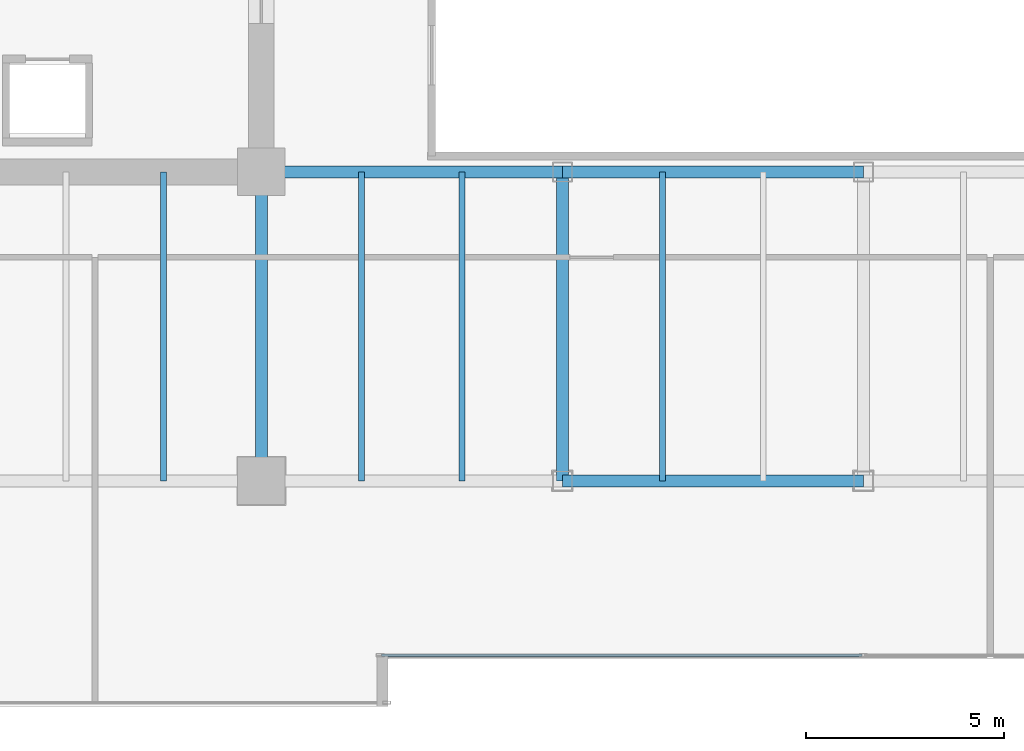
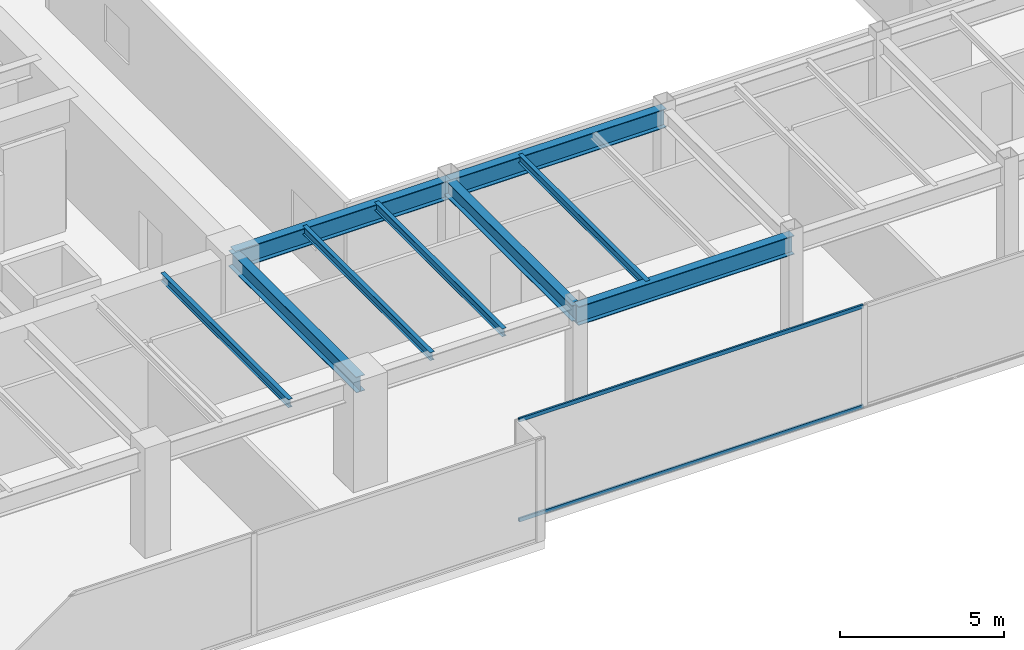
# One storey, part 5 of 33: 9 beams, 2 members, 1 element without a shape of its own.
"""IFC4 building model written with IfcOpenShell, lengths in metres."""

from ifc_helpers import new_model, si_unit, direction, frame, origin, origin_2d, place, context, subcontext, project, spatial, hollow_rectangle, i_section, extrude, source, transform, mapped, material, layer, layer_set, material_profile, profile_set, type_object, type_shapes, element, aggregate, save


model = new_model("IFC4")

# Units and contexts
model_context = context("Model", 3, precision=1e-05, world=origin(), true_north=direction((0.0, 1.0)))
body_context = subcontext(model_context, "Body", "Model", "MODEL_VIEW")
ifc_project = project(units=[si_unit("LENGTHUNIT", "METRE"), si_unit("AREAUNIT", "SQUARE_METRE"), si_unit("VOLUMEUNIT", "CUBIC_METRE"), si_unit("PLANEANGLEUNIT", "RADIAN"), si_unit("MASSUNIT", "GRAM", prefix="KILO")], contexts=[model_context])

# Site, building, storey
site_placement = place(None, origin())
site = spatial("IfcSite", under=ifc_project, at=site_placement, CompositionType="ELEMENT")
building_placement = place(site_placement, origin())
building = spatial("IfcBuilding", under=site, at=building_placement, Name="Haelvirn Gate Laboratories", CompositionType="ELEMENT")
storey_placement = place(building_placement, frame((0.0, 0.0, 166.60009765625)))
storey = spatial("IfcBuildingStorey", under=building, at=storey_placement, Name="L40", CompositionType="ELEMENT", Elevation=166.60009765625)

# Beams
ifc_material_1 = material(Name="Steel SM355", Category="steel")
ifc_material_profile_1 = material_profile(ifc_material_1, i_section(OverallWidth=0.300048828125, OverallDepth=0.699951171875, WebThickness=0.012939453125, FlangeThickness=0.02392578125, at=origin_2d()), Name="H-700x300x13x24")
ifc_profile_set_1 = profile_set([ifc_material_profile_1], Name="Steel SM355")
beam_type_1 = type_object("IfcBeamType", Name="BM-G-700", PredefinedType="BEAM", material=ifc_profile_set_1)
shared_shape_1 = source(origin(), body_context, "Body", "SweptSolid", [
    extrude(i_section(OverallWidth=0.300048828125, OverallDepth=0.699951171875, WebThickness=0.012939453125, FlangeThickness=0.02392578125, at=origin_2d()), origin(), (0.0, 0.0, 1.0), 7.60009765625),
])
beam_placement = place(storey_placement, frame((22.199951171875, 14.800048828125, 3.43994140625), z_axis=(1.0, 0.0, 0.0), x_axis=(0.0, 1.0, 0.0)))
element("IfcBeam", 1, at=beam_placement, inside=storey, type_object=beam_type_1, Name="L40 Primary Girder Y14.8 (22.2-29.8)", PredefinedType="BEAM", context=body_context, shape_type="MappedRepresentation", body=[
    mapped(shared_shape_1, transform((0.0, 0.0, 0.0), scale=1.0)),
])
shared_shape_2 = source(origin(), body_context, "Body", "SweptSolid", [
    extrude(i_section(OverallWidth=0.300048828125, OverallDepth=0.699951171875, WebThickness=0.012939453125, FlangeThickness=0.02392578125, at=origin_2d()), origin(), (0.0, 0.0, 1.0), 7.599853515625),
])
type_shapes(beam_type_1, [shared_shape_1, shared_shape_2])
for number, where, z_axis, x_axis, name in (
    (2, (29.800048828125, 7.0, 3.43994140625), (1.0, 0.0, 0.0), (0.0, 1.0, 0.0), "L40 Primary Girder Y7.0 (29.8-37.4)"),
    (3, (29.800048828125, 14.800048828125, 3.43994140625), (1.0, 0.0, 0.0), (0.0, 1.0, 0.0), "L40 Primary Girder Y14.8 (29.8-37.4)"),
):
    element("IfcBeam", number, at=place(storey_placement, frame(where, z_axis=z_axis, x_axis=x_axis)), inside=storey, type_object=beam_type_1, Name=name, PredefinedType="BEAM", context=body_context, shape_type="MappedRepresentation", body=[
        mapped(shared_shape_2, transform((0.0, 0.0, 0.0), scale=1.0)),
    ])
ifc_material_profile_2 = material_profile(ifc_material_1, i_section(OverallWidth=0.14990234375, OverallDepth=0.300048828125, WebThickness=0.006591796875, FlangeThickness=0.009033203125, at=origin_2d()), Name="H-300x150x6.5x9")
ifc_profile_set_2 = profile_set([ifc_material_profile_2], Name="Steel SM355")
beam_type_2 = type_object("IfcBeamType", Name="BM-J-300", PredefinedType="JOIST", material=ifc_profile_set_2)
shared_shape_3 = source(origin(), body_context, "Body", "SweptSolid", [
    extrude(i_section(OverallWidth=0.14990234375, OverallDepth=0.300048828125, WebThickness=0.006591796875, FlangeThickness=0.009033203125, at=origin_2d()), origin(), (0.0, 0.0, 1.0), 7.800048828125),
])
type_shapes(beam_type_2, [shared_shape_3])
for number, where, z_axis, x_axis, name in (
    (4, (19.72998046875, 7.0, 3.639892578125), (0.0, 1.0, 0.0), (-1.0, 0.0, 0.0), "L40 Composite Lab Joist South X19.73"),
    (5, (24.72998046875, 7.0, 3.639892578125), (0.0, 1.0, 0.0), (-1.0, 0.0, 0.0), "L40 Composite Lab Joist South X24.73"),
    (6, (27.27001953125, 7.0, 3.639892578125), (0.0, 1.0, 0.0), (-1.0, 0.0, 0.0), "L40 Composite Lab Joist South X27.27"),
    (7, (32.330078125, 7.0, 3.639892578125), (0.0, 1.0, 0.0), (-1.0, 0.0, 0.0), "L40 Composite Lab Joist South X32.33"),
):
    element("IfcBeam", number, at=place(storey_placement, frame(where, z_axis=z_axis, x_axis=x_axis)), inside=storey, type_object=beam_type_2, Name=name, PredefinedType="JOIST", context=body_context, shape_type="MappedRepresentation", body=[
        mapped(shared_shape_3, transform((0.0, 0.0, 0.0), scale=1.0)),
    ])
ifc_material_profile_3 = material_profile(ifc_material_1, i_section(OverallWidth=0.300048828125, OverallDepth=0.587890625, WebThickness=0.011962890625, FlangeThickness=0.02001953125, at=origin_2d()), Name="H-588x300x12x20")
ifc_profile_set_3 = profile_set([ifc_material_profile_3], Name="Steel SM355")
beam_type_3 = type_object("IfcBeamType", Name="BM-G-588", PredefinedType="BEAM", material=ifc_profile_set_3)
shared_shape_4 = source(origin(), body_context, "Body", "SweptSolid", [
    extrude(i_section(OverallWidth=0.300048828125, OverallDepth=0.587890625, WebThickness=0.011962890625, FlangeThickness=0.02001953125, at=origin_2d()), origin(), (0.0, 0.0, 1.0), 7.800048828125),
])
type_shapes(beam_type_3, [shared_shape_4])
for number, where, z_axis, x_axis, name in (
    (8, (22.199951171875, 7.0, 3.495849609375), (0.0, 1.0, 0.0), (-1.0, 0.0, 0.0), "L40 Frame Girder X22.2 (7.0-14.8)"),
    (9, (29.800048828125, 7.0, 3.495849609375), (0.0, 1.0, 0.0), (-1.0, 0.0, 0.0), "L40 Frame Girder X29.8 (7.0-14.8)"),
):
    element("IfcBeam", number, at=place(storey_placement, frame(where, z_axis=z_axis, x_axis=x_axis)), inside=storey, type_object=beam_type_3, Name=name, PredefinedType="BEAM", context=body_context, shape_type="MappedRepresentation", body=[
        mapped(shared_shape_4, transform((0.0, 0.0, 0.0), scale=1.0)),
    ])

# Curtain wall, members
ifc_material_2 = material(Name="Anodised bronze unitised aluminium & triple low-E glass", Category="aluminium")
ifc_layer = layer(ifc_material_2, 0.179931640625, Name="CW-SYS-3")
ifc_layer_set = layer_set([ifc_layer], Name="Anodised bronze unitised aluminium & triple low-E glass")
curtain_wall_type = type_object("IfcCurtainWallType", Name="CW-SYS-3", PredefinedType="NOTDEFINED", material=ifc_layer_set)
curtain_wall_placement = place(storey_placement, origin())
curtain_wall = element("IfcCurtainWall", 10, at=curtain_wall_placement, inside=storey, type_object=curtain_wall_type, Name="L40 Unitised Curtain Wall CW-L40-P0-E02-1", PredefinedType="NOTDEFINED")
ifc_material_3 = material(Name="Extruded aluminium 6063-T6 (anodised bronze)", Category="aluminium")
ifc_material_profile_4 = material_profile(ifc_material_3, hollow_rectangle(XDim=0.06494140625, YDim=0.139892578125, WallThickness=0.00390625, at=origin_2d()), Name="CWT-140x65x4")
ifc_profile_set_4 = profile_set([ifc_material_profile_4], Name="Extruded aluminium 6063-T6 (anodised bronze)")
member_type = type_object("IfcMemberType", Name="CWT-T140", PredefinedType="USERDEFINED", material=ifc_profile_set_4)
shared_shape_5 = source(origin(), body_context, "Body", "SweptSolid", [
    extrude(hollow_rectangle(XDim=0.06494140625, YDim=0.139892578125, WallThickness=0.00390625, at=origin_2d()), origin(), (0.0, 0.0, 1.0), 12.12744140625),
])
type_shapes(member_type, [shared_shape_5])
member_1_placement = place(storey_placement, frame((25.235107421875, 2.60009765625, 0.032470703125), z_axis=(1.0, 0.0, 0.0), x_axis=(0.0, 1.0, 0.0)))
member_1 = element("IfcMember", 11, at=member_1_placement, type_object=member_type, Name="CW3 transom 1.1", ObjectType="TRANSOM", PredefinedType="USERDEFINED", context=body_context, shape_type="MappedRepresentation", body=[
    mapped(shared_shape_5, transform((0.0, 0.0, 0.0), scale=1.0)),
])
member_2_placement = place(storey_placement, frame((25.235107421875, 2.60009765625, 3.75732421875), z_axis=(1.0, 0.0, 0.0), x_axis=(0.0, 1.0, 0.0)))
member_2 = element("IfcMember", 12, at=member_2_placement, type_object=member_type, Name="CW3 transom 1.2", ObjectType="TRANSOM", PredefinedType="USERDEFINED", context=body_context, shape_type="MappedRepresentation", body=[
    mapped(shared_shape_5, transform((0.0, 0.0, 0.0), scale=1.0)),
])
aggregate(curtain_wall, [member_1, member_2])

save(model, "model.ifc")
